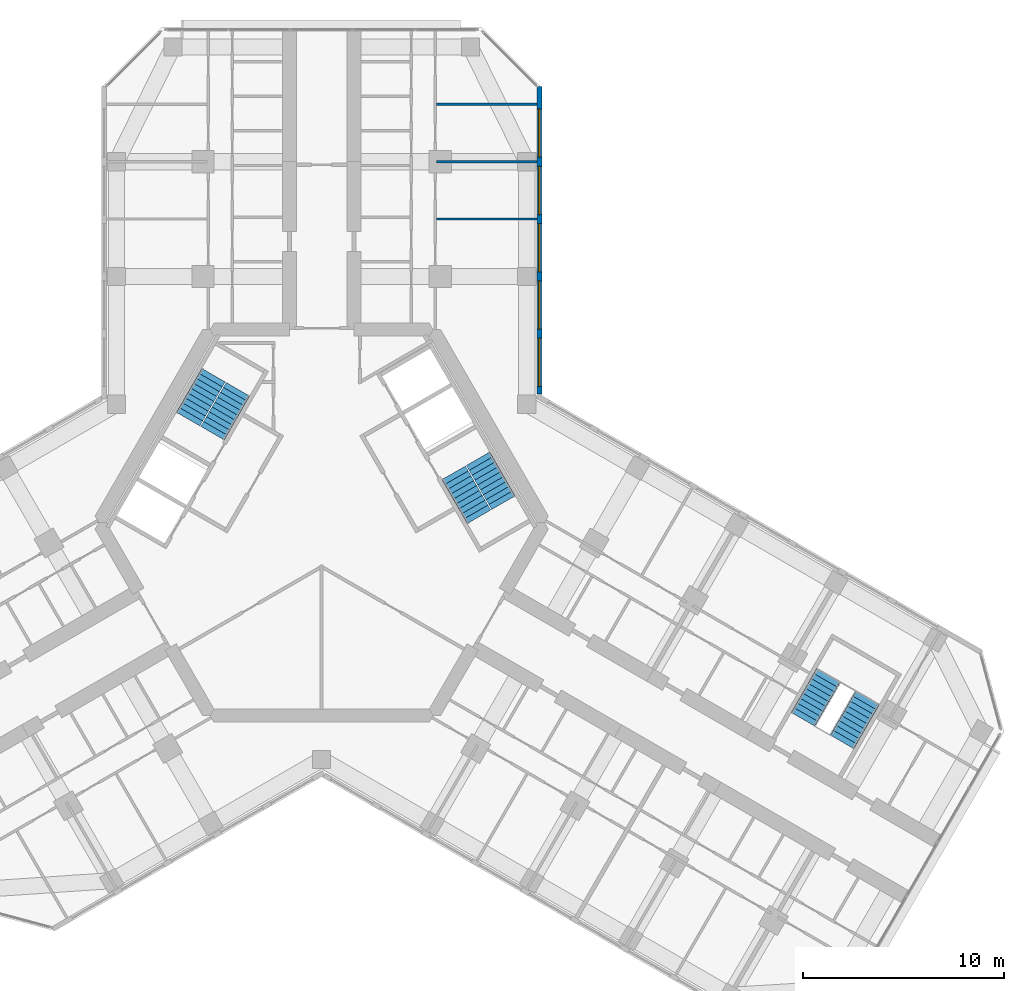
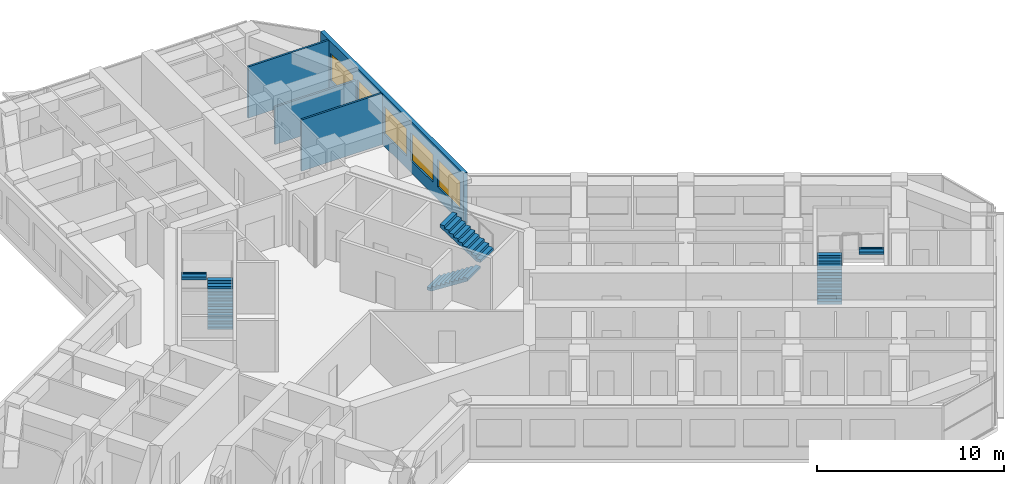
# One storey, part 15 of 16: 6 stair flights, 5 windows, 4 walls, 5 openings, 3 elements without a shape of their own.
"""IFC4 building model written with IfcOpenShell, lengths in metres."""

import ifcopenshell
import ifcopenshell.guid

model = None  # the IFC model being written
_history = None  # IfcOwnerHistory: only IFC2X3 demands one
_inside = {}  # id of a spatial element -> (the spatial element, [elements in it])
_under = {}  # id of a project, library or spatial element -> (it, [spatial elements below it])
_declared = {}  # id of a project -> (the project, [libraries it declares])
_typed = {}  # id of a type object -> (the type object, [elements of that type])
_made_of = {}  # id of a material, layer set ... -> (it, [elements and type objects made of it])


def new_model(schema):
    """Start an empty IFC model of exactly this schema.

    Asked for "IFC4X3", IfcOpenShell would pick the latest addendum, in which some entities
    have other attributes; the version numbers below select the first issue.
    IFC2X3 requires an IfcOwnerHistory on every rooted entity: one is made here for all.
    """
    global model, _history
    if schema == "IFC4X3":
        model = ifcopenshell.file(schema_version=(4, 3, 0, 0))
    else:
        model = ifcopenshell.file(schema=schema)
    _inside.clear()
    _under.clear()
    _declared.clear()
    _typed.clear()
    _made_of.clear()
    _history = None
    if model.schema == "IFC2X3":
        org = make("IfcOrganization", Name="unknown")
        user = make(
            "IfcPersonAndOrganization",
            ThePerson=make("IfcPerson", FamilyName="unknown"),
            TheOrganization=org,
        )
        app = make(
            "IfcApplication",
            ApplicationDeveloper=org,
            Version="unknown",
            ApplicationFullName="unknown",
            ApplicationIdentifier="unknown",
        )
        _history = make(
            "IfcOwnerHistory",
            OwningUser=user,
            OwningApplication=app,
            ChangeAction="ADDED",
            CreationDate=0,
        )
    return model


def make(cls, **values):
    """One entity of the class cls with the attributes given. An attribute that is None is left unset."""
    return model.create_entity(
        cls, **{name: value for name, value in values.items() if value is not None}
    )


def rooted(cls, **values):
    """An entity with a GlobalId (a new one), such as an element, a storey or a relation."""
    return make(cls, GlobalId=ifcopenshell.guid.new(), OwnerHistory=_history, **values)


def si_unit(unit_type, name, prefix=None):
    """IfcSIUnit, for example si_unit("LENGTHUNIT", "METRE", prefix="MILLI")."""
    return make("IfcSIUnit", UnitType=unit_type, Prefix=prefix, Name=name)


def assignment(units):
    """IfcUnitAssignment: the units of a project."""
    return None if units is None else make("IfcUnitAssignment", Units=units)


def point(xyz):
    """IfcCartesianPoint."""
    return None if xyz is None else make("IfcCartesianPoint", Coordinates=xyz)


def direction(xyz):
    """IfcDirection."""
    return None if xyz is None else make("IfcDirection", DirectionRatios=xyz)


def frame(location, z_axis=None, x_axis=None):
    """IfcAxis2Placement3D, a coordinate frame: its origin and axes. An axis left out is left unset."""
    return make(
        "IfcAxis2Placement3D",
        Location=point(location),
        Axis=direction(z_axis),
        RefDirection=direction(x_axis),
    )


def frame_2d(location, x_axis=None):
    """IfcAxis2Placement2D, a coordinate frame in the plane: its origin and x axis."""
    return make(
        "IfcAxis2Placement2D", Location=point(location), RefDirection=direction(x_axis)
    )


def origin():
    """The frame at (0, 0, 0) with its axes left unset."""
    return frame((0.0, 0.0, 0.0))


def place(relative_to, where):
    """IfcLocalPlacement: puts the frame where relative to a parent placement (None: the world)."""
    return make(
        "IfcLocalPlacement", PlacementRelTo=relative_to, RelativePlacement=where
    )


def context(
    kind, dimensions, precision=None, world=None, true_north=None, identifier=None
):
    """IfcGeometricRepresentationContext, for example the 3D "Model" context."""
    return make(
        "IfcGeometricRepresentationContext",
        ContextIdentifier=identifier,
        ContextType=kind,
        CoordinateSpaceDimension=dimensions,
        Precision=precision,
        WorldCoordinateSystem=world,
        TrueNorth=true_north,
    )


def subcontext(parent, identifier, kind, view, scale=None):
    """IfcGeometricRepresentationSubContext, for example "Body" below "Model"."""
    return make(
        "IfcGeometricRepresentationSubContext",
        ContextIdentifier=identifier,
        ContextType=kind,
        ParentContext=parent,
        TargetScale=scale,
        TargetView=view,
    )


def project(units=None, contexts=None):
    """IfcProject with its units and contexts."""
    return rooted(
        "IfcProject",
        Name="project",
        RepresentationContexts=contexts,
        UnitsInContext=assignment(units),
    )


def spatial(cls, under=None, at=None, **own):
    """A site, building, storey or space (cls), placed at a placement, below another one or the project."""
    s = rooted(cls, ObjectPlacement=at, **own)
    if under is not None:
        _under.setdefault(under.id(), (under, []))[1].append(s)
    return s


def polyline(points):
    """IfcPolyline through the points."""
    return make("IfcPolyline", Points=[point(p) for p in points])


def profile(cls, at=None, kind="AREA", **sizes):
    """A parametric profile (cls). Its sizes go by their IFC names, for example OverallWidth=200.0."""
    return make(cls, ProfileType=kind, Position=at, **sizes)


def rectangle(**sizes):
    """IfcRectangleProfileDef."""
    return profile("IfcRectangleProfileDef", **sizes)


def outline(outer, holes=None, kind="AREA"):
    """IfcArbitraryClosedProfileDef: a profile drawn as a closed curve; with holes, ...WithVoids."""
    if holes is None:
        return make("IfcArbitraryClosedProfileDef", ProfileType=kind, OuterCurve=outer)
    return make(
        "IfcArbitraryProfileDefWithVoids",
        ProfileType=kind,
        OuterCurve=outer,
        InnerCurves=holes,
    )


def extrude(swept, where, along, depth):
    """IfcExtrudedAreaSolid: the profile swept, set in the frame where, extruded along a direction by depth."""
    return make(
        "IfcExtrudedAreaSolid",
        SweptArea=swept,
        Position=where,
        ExtrudedDirection=direction(along),
        Depth=depth,
    )


def shape(context_of_items, identifier, shape_type, items):
    """IfcShapeRepresentation: the items that make up one representation, for example the "Body"."""
    return make(
        "IfcShapeRepresentation",
        ContextOfItems=context_of_items,
        RepresentationIdentifier=identifier,
        RepresentationType=shape_type,
        Items=items,
    )


def material(Name=None, Category=None):
    """IfcMaterial."""
    return make("IfcMaterial", Name=Name, Category=Category)


def layer(
    of_material, thickness, ventilated=None, Name=None, Category=None, Priority=None
):
    """IfcMaterialLayer: one layer of a wall or slab, of a material (None: an air gap)."""
    return make(
        "IfcMaterialLayer",
        Material=of_material,
        LayerThickness=thickness,
        IsVentilated=ventilated,
        Name=Name,
        Category=Category,
        Priority=Priority,
    )


def layer_set(layers, Name=None):
    """IfcMaterialLayerSet."""
    return make("IfcMaterialLayerSet", MaterialLayers=layers, LayerSetName=Name)


def made_of(thing, what):
    """Note that an element or type object is made of a material, layer set ...; save() writes the relation."""
    if what is not None:
        _made_of.setdefault(what.id(), (what, []))[1].append(thing)
    return thing


def type_object(cls, material=None, **own):
    """A type object (cls), such as IfcWallType, which elements share."""
    return made_of(rooted(cls, **own), material)


def element(
    cls,
    number,
    at=None,
    inside=None,
    cuts=None,
    type_object=None,
    material=None,
    context=None,
    identifier="Body",
    shape_type=None,
    held_by="IfcProductDefinitionShape",
    body=None,
    shapes=None,
    **own,
):
    """One element of the class cls, such as IfcWall. Its Tag is "e" and its number.

    at: its placement. inside: the storey or other place that contains it. cuts: it is an
    opening in that element (IfcRelVoidsElement). A single representation is given by context,
    identifier, shape_type and body (its items); several are given by shapes. held_by: the class
    of the entity that holds the representations. save() writes the other relations.
    """
    e = rooted(cls, Tag="e%d" % number, ObjectPlacement=at, **own)
    if body is not None:
        shapes = [shape(context, identifier, shape_type, body)]
    if shapes is not None:
        e.Representation = make(held_by, Representations=shapes)
    if inside is not None:
        _inside.setdefault(inside.id(), (inside, []))[1].append(e)
    if cuts is not None:
        rooted(
            "IfcRelVoidsElement", RelatingBuildingElement=cuts, RelatedOpeningElement=e
        )
    if type_object is not None:
        _typed.setdefault(type_object.id(), (type_object, []))[1].append(e)
    return made_of(e, material)


def fill(opening, filler):
    """IfcRelFillsElement: the door or window that sits in an opening."""
    return rooted(
        "IfcRelFillsElement",
        RelatingOpeningElement=opening,
        RelatedBuildingElement=filler,
    )


def aggregate(whole, parts):
    """IfcRelAggregates: a whole, such as a stair, and the parts it consists of."""
    return rooted("IfcRelAggregates", RelatingObject=whole, RelatedObjects=parts)


def save(model, path):
    """Write the relations noted so far, then the file.

    IfcRelAggregates (storeys below a building ...), IfcRelContainedInSpatialStructure (elements
    in a storey), IfcRelDefinesByType, IfcRelAssociatesMaterial and IfcRelDeclares: one each for
    every whole, place, type object, material and project.
    """
    for whole, parts in _under.values():
        aggregate(whole, parts)
    for where, things in _inside.values():
        rooted(
            "IfcRelContainedInSpatialStructure",
            RelatedElements=things,
            RelatingStructure=where,
        )
    for kind, things in _typed.values():
        rooted("IfcRelDefinesByType", RelatedObjects=things, RelatingType=kind)
    for what, things in _made_of.values():
        rooted("IfcRelAssociatesMaterial", RelatedObjects=things, RelatingMaterial=what)
    for by, libraries in _declared.values():
        rooted("IfcRelDeclares", RelatingContext=by, RelatedDefinitions=libraries)
    model.write(path)


model = new_model("IFC4")

# Units and contexts
model_context = context("Model", 3, precision=1e-05, world=origin(), true_north=direction((0.0, 1.0)))
body_context = subcontext(model_context, "Body", "Model", "MODEL_VIEW")
ifc_project = project(units=[si_unit("LENGTHUNIT", "METRE"), si_unit("AREAUNIT", "SQUARE_METRE"), si_unit("VOLUMEUNIT", "CUBIC_METRE"), si_unit("PLANEANGLEUNIT", "RADIAN"), si_unit("MASSUNIT", "GRAM", prefix="KILO")], contexts=[model_context])

# Site, building, storey
site_placement = place(None, origin())
site = spatial("IfcSite", under=ifc_project, at=site_placement, CompositionType="ELEMENT")
building_placement = place(site_placement, origin())
building = spatial("IfcBuilding", under=site, at=building_placement, Name="Kosmar Iwan School Tower", CompositionType="ELEMENT")
storey_placement = place(building_placement, frame((0.0, 0.0, 208.199951171875)))
storey = spatial("IfcBuildingStorey", under=building, at=storey_placement, Name="L52", CompositionType="ELEMENT", Elevation=208.199951171875)

# Walls
ifc_material_1 = material(Name="Gypsum board on steel studs", Category="steel")
ifc_layer_1 = layer(ifc_material_1, 0.1201171875)
ifc_layer_set_1 = layer_set([ifc_layer_1], Name="Dwelling partition 120")
wall_type_1 = type_object("IfcWallType", Name="Dwelling partition 120", PredefinedType="PARTITIONING", material=ifc_layer_set_1)
wall_1_placement = place(storey_placement, frame((5.7099609375, 15.10009765625, 0.0), z_axis=(0.0, 0.0, 1.0), x_axis=(1.0, 0.0, 0.0)))
element("IfcWall", 1, at=wall_1_placement, inside=storey, type_object=wall_type_1, Name="Partition L52-AR1-X1", PredefinedType="PARTITIONING", context=body_context, shape_type="SweptSolid", body=[
    extrude(rectangle(XDim=4.989990234375, YDim=0.1201171875, at=frame_2d((2.4951171875, 0.0))), origin(), (0.0, 0.0, 1.0), 3.35009765625),
])
wall_2_placement = place(storey_placement, frame((5.7099609375, 17.949951171875, 0.0), z_axis=(0.0, 0.0, 1.0), x_axis=(1.0, 0.0, 0.0)))
element("IfcWall", 2, at=wall_2_placement, inside=storey, type_object=wall_type_1, Name="Partition L52-AR1-X2", PredefinedType="PARTITIONING", context=body_context, shape_type="SweptSolid", body=[
    extrude(rectangle(XDim=4.989990234375, YDim=0.1201171875, at=frame_2d((2.4951171875, 0.0))), origin(), (0.0, 0.0, 1.0), 2.449951171875),
])
wall_3_placement = place(storey_placement, frame((5.7099609375, 20.800048828125, 0.0), z_axis=(0.0, 0.0, 1.0), x_axis=(1.0, 0.0, 0.0)))
element("IfcWall", 3, at=wall_3_placement, inside=storey, type_object=wall_type_1, Name="Partition L52-AR1-X3", PredefinedType="PARTITIONING", context=body_context, shape_type="SweptSolid", body=[
    extrude(rectangle(XDim=4.989990234375, YDim=0.1201171875, at=frame_2d((2.4951171875, 0.0))), origin(), (0.0, 0.0, 1.0), 3.35009765625),
])

# Wall, openings, windows
ifc_material_2 = material(Name="Black aluminium rainscreen on insulated framing", Category="aluminium")
ifc_layer_2 = layer(ifc_material_2, 0.25)
ifc_layer_set_2 = layer_set([ifc_layer_2], Name="External wall rainscreen 250")
wall_type_2 = type_object("IfcWallType", Name="External wall rainscreen 250", PredefinedType="SOLIDWALL", material=ifc_layer_set_2)
wall_4_placement = place(storey_placement, frame((10.824951171875, 6.408935546875, 0.0), z_axis=(0.0, 0.0, 1.0), x_axis=(0.0, 1.0, 0.0)))
wall_4 = element("IfcWall", 4, at=wall_4_placement, inside=storey, type_object=wall_type_2, Name="External wall AR L52", PredefinedType="SOLIDWALL", context=body_context, shape_type="SweptSolid", body=[
    extrude(rectangle(XDim=15.2763671875, YDim=0.25, at=frame_2d((7.63818359375, 0.0))), origin(), (0.0, 0.0, 1.0), 3.35009765625),
])
opening_1_placement = place(wall_4_placement, frame((0.365966796875, 0.0, 0.800048828125)))
opening_1 = element("IfcOpeningElement", 5, at=opening_1_placement, cuts=wall_4, Name="Opening W5", PredefinedType="OPENING", context=body_context, shape_type="SweptSolid", body=[
    extrude(rectangle(XDim=2.39990234375, YDim=1.800048828125, at=frame_2d((1.199951171875, 0.89990234375))), frame((0.0, 0.136962890625, 0.0), z_axis=(0.0, -1.0, 0.0), x_axis=(1.0, 0.0, 0.0)), (0.0, 0.0, 1.0), 0.27392578125),
])
opening_2_placement = place(wall_4_placement, frame((3.216064453125, 0.0, 0.800048828125)))
opening_2 = element("IfcOpeningElement", 6, at=opening_2_placement, cuts=wall_4, Name="Opening W5", PredefinedType="OPENING", context=body_context, shape_type="SweptSolid", body=[
    extrude(rectangle(XDim=2.39990234375, YDim=1.800048828125, at=frame_2d((1.199951171875, 0.89990234375))), frame((0.0, 0.136962890625, 0.0), z_axis=(0.0, -1.0, 0.0), x_axis=(1.0, 0.0, 0.0)), (0.0, 0.0, 1.0), 0.27392578125),
])
opening_3_placement = place(wall_4_placement, frame((6.06591796875, 0.0, 0.800048828125)))
opening_3 = element("IfcOpeningElement", 7, at=opening_3_placement, cuts=wall_4, Name="Opening W5", PredefinedType="OPENING", context=body_context, shape_type="SweptSolid", body=[
    extrude(rectangle(XDim=2.39990234375, YDim=1.800048828125, at=frame_2d((1.199951171875, 0.89990234375))), frame((0.0, 0.136962890625, 0.0), z_axis=(0.0, -1.0, 0.0), x_axis=(1.0, 0.0, 0.0)), (0.0, 0.0, 1.0), 0.27392578125),
])
opening_4_placement = place(wall_4_placement, frame((8.916015625, 0.0, 0.800048828125)))
opening_4 = element("IfcOpeningElement", 8, at=opening_4_placement, cuts=wall_4, Name="Opening W5", PredefinedType="OPENING", context=body_context, shape_type="SweptSolid", body=[
    extrude(rectangle(XDim=2.39990234375, YDim=1.800048828125, at=frame_2d((1.199951171875, 0.89990234375))), frame((0.0, 0.136962890625, 0.0), z_axis=(0.0, -1.0, 0.0), x_axis=(1.0, 0.0, 0.0)), (0.0, 0.0, 1.0), 0.27392578125),
])
opening_5_placement = place(wall_4_placement, frame((11.76611328125, 0.0, 0.800048828125)))
opening_5 = element("IfcOpeningElement", 9, at=opening_5_placement, cuts=wall_4, Name="Opening W5", PredefinedType="OPENING", context=body_context, shape_type="SweptSolid", body=[
    extrude(rectangle(XDim=2.39990234375, YDim=1.800048828125, at=frame_2d((1.199951171875, 0.89990234375))), frame((0.0, 0.136962890625, 0.0), z_axis=(0.0, -1.0, 0.0), x_axis=(1.0, 0.0, 0.0)), (0.0, 0.0, 1.0), 0.27392578125),
])
ifc_material_3 = material(Name="Black aluminium frame with dark triple glazing", Category="aluminium")
window_type = type_object("IfcWindowType", Name="Window 2400x1800", PartitioningType="SINGLE_PANEL", PredefinedType="WINDOW", material=ifc_material_3)
window_1_placement = place(opening_1_placement, origin())
window_1 = element("IfcWindow", 10, at=window_1_placement, inside=storey, type_object=window_type, Name="Window AR L52 -1", OverallHeight=1.800048828125, OverallWidth=2.39990234375, PartitioningType="SINGLE_PANEL", PredefinedType="WINDOW", context=body_context, shape_type="SweptSolid", body=[
    extrude(rectangle(XDim=2.39990234375, YDim=1.800048828125, at=frame_2d((1.199951171875, 0.89990234375))), frame((0.0, 0.030029296875, 0.0), z_axis=(0.0, -1.0, 0.0), x_axis=(1.0, 0.0, 0.0)), (0.0, 0.0, 1.0), 0.06005859375),
])
fill(opening_1, window_1)
window_2_placement = place(opening_2_placement, origin())
window_2 = element("IfcWindow", 11, at=window_2_placement, inside=storey, type_object=window_type, Name="Window AR L52 0", OverallHeight=1.800048828125, OverallWidth=2.39990234375, PartitioningType="SINGLE_PANEL", PredefinedType="WINDOW", context=body_context, shape_type="SweptSolid", body=[
    extrude(rectangle(XDim=2.39990234375, YDim=1.800048828125, at=frame_2d((1.199951171875, 0.89990234375))), frame((0.0, 0.030029296875, 0.0), z_axis=(0.0, -1.0, 0.0), x_axis=(1.0, 0.0, 0.0)), (0.0, 0.0, 1.0), 0.06005859375),
])
fill(opening_2, window_2)
window_3_placement = place(opening_3_placement, origin())
window_3 = element("IfcWindow", 12, at=window_3_placement, inside=storey, type_object=window_type, Name="Window AR L52 1", OverallHeight=1.800048828125, OverallWidth=2.39990234375, PartitioningType="SINGLE_PANEL", PredefinedType="WINDOW", context=body_context, shape_type="SweptSolid", body=[
    extrude(rectangle(XDim=2.39990234375, YDim=1.800048828125, at=frame_2d((1.199951171875, 0.89990234375))), frame((0.0, 0.030029296875, 0.0), z_axis=(0.0, -1.0, 0.0), x_axis=(1.0, 0.0, 0.0)), (0.0, 0.0, 1.0), 0.06005859375),
])
fill(opening_3, window_3)
window_4_placement = place(opening_4_placement, origin())
window_4 = element("IfcWindow", 13, at=window_4_placement, inside=storey, type_object=window_type, Name="Window AR L52 2", OverallHeight=1.800048828125, OverallWidth=2.39990234375, PartitioningType="SINGLE_PANEL", PredefinedType="WINDOW", context=body_context, shape_type="SweptSolid", body=[
    extrude(rectangle(XDim=2.39990234375, YDim=1.800048828125, at=frame_2d((1.199951171875, 0.89990234375))), frame((0.0, 0.030029296875, 0.0), z_axis=(0.0, -1.0, 0.0), x_axis=(1.0, 0.0, 0.0)), (0.0, 0.0, 1.0), 0.06005859375),
])
fill(opening_4, window_4)
window_5_placement = place(opening_5_placement, origin())
window_5 = element("IfcWindow", 14, at=window_5_placement, inside=storey, type_object=window_type, Name="Window AR L52 3", OverallHeight=1.800048828125, OverallWidth=2.39990234375, PartitioningType="SINGLE_PANEL", PredefinedType="WINDOW", context=body_context, shape_type="SweptSolid", body=[
    extrude(rectangle(XDim=2.39990234375, YDim=1.800048828125, at=frame_2d((1.199951171875, 0.89990234375))), frame((0.0, 0.030029296875, 0.0), z_axis=(0.0, -1.0, 0.0), x_axis=(1.0, 0.0, 0.0)), (0.0, 0.0, 1.0), 0.06005859375),
])
fill(opening_5, window_5)

# Stair, stair flights
ifc_material_4 = material(Name="Concrete C35/45", Category="concrete")
stair_type_1 = type_object("IfcStairType", Name="Escape stair 3600", PredefinedType="HALF_TURN_STAIR", material=ifc_material_4)
stair_1_placement = place(storey_placement, origin())
stair_1 = element("IfcStair", 15, at=stair_1_placement, inside=storey, type_object=stair_type_1, Name="Stair WS3 L52", PredefinedType="HALF_TURN_STAIR")
ifc_material_5 = material(Name="Concrete C35/45", Category="concrete")
stair_flight_type_1 = type_object("IfcStairFlightType", Name="Escape stair flight 1350", PredefinedType="STRAIGHT", material=ifc_material_5)
stair_flight_1_placement = place(storey_placement, frame((23.94189453125, -9.781494140625, 0.0), z_axis=(0.0, 0.0, 1.0), x_axis=(0.5, 0.866025403784, 0.0)))
stair_flight_1 = element("IfcStairFlight", 16, at=stair_flight_1_placement, type_object=stair_flight_type_1, Name="WS3 flight 1", NumberOfRisers=10, NumberOfTreads=9, PredefinedType="STRAIGHT", RiserHeight=0.18, TreadLength=0.28, context=body_context, shape_type="SweptSolid", body=[
    extrude(outline(polyline([(0.0, 0.0), (0.0, 0.179931640625), (0.280029296875, 0.179931640625), (0.280029296875, 0.360107421875), (0.56005859375, 0.360107421875), (0.56005859375, 0.5400390625), (0.840087890625, 0.5400390625), (0.840087890625, 0.719970703125), (1.1201171875, 0.719970703125), (1.1201171875, 0.89990234375), (1.39990234375, 0.89990234375), (1.39990234375, 1.080078125), (1.679931640625, 1.080078125), (1.679931640625, 1.260009765625), (1.9599609375, 1.260009765625), (1.9599609375, 1.43994140625), (2.239990234375, 1.43994140625), (2.239990234375, 1.6201171875), (2.52001953125, 1.6201171875), (2.52001953125, 1.800048828125), (2.52001953125, 1.44189453125), (0.277099609375, 0.0), (0.0, 0.0)])), frame((0.0, 0.675048828125, 0.0), z_axis=(0.0, -1.0, 0.0), x_axis=(1.0, 0.0, 0.0)), (0.0, 0.0, 1.0), 1.35009765625),
])
stair_flight_2_placement = place(storey_placement, frame((27.150390625, -8.72412109375, 1.800048828125), z_axis=(0.0, 0.0, 1.0), x_axis=(-0.5, -0.866025403784, 0.0)))
stair_flight_2 = element("IfcStairFlight", 17, at=stair_flight_2_placement, type_object=stair_flight_type_1, Name="WS3 flight 2", NumberOfRisers=10, NumberOfTreads=9, PredefinedType="STRAIGHT", RiserHeight=0.18, TreadLength=0.28, context=body_context, shape_type="SweptSolid", body=[
    extrude(outline(polyline([(0.0, 0.0), (0.0, 0.179931640625), (0.280029296875, 0.179931640625), (0.280029296875, 0.360107421875), (0.56005859375, 0.360107421875), (0.56005859375, 0.5400390625), (0.840087890625, 0.5400390625), (0.840087890625, 0.719970703125), (1.1201171875, 0.719970703125), (1.1201171875, 0.89990234375), (1.39990234375, 0.89990234375), (1.39990234375, 1.080078125), (1.679931640625, 1.080078125), (1.679931640625, 1.260009765625), (1.9599609375, 1.260009765625), (1.9599609375, 1.43994140625), (2.239990234375, 1.43994140625), (2.239990234375, 1.6201171875), (2.52001953125, 1.6201171875), (2.52001953125, 1.800048828125), (2.52001953125, 1.44189453125), (0.277099609375, 0.0), (0.0, 0.0)])), frame((0.0, 0.675048828125, 0.0), z_axis=(0.0, -1.0, 0.0), x_axis=(1.0, 0.0, 0.0)), (0.0, 0.0, 1.0), 1.35009765625),
])
aggregate(stair_1, [stair_flight_1, stair_flight_2])

ifc_material_6 = material(Name="Concrete C35/45", Category="concrete")
stair_type_2 = type_object("IfcStairType", Name="Core stair 2750", PredefinedType="HALF_TURN_STAIR", material=ifc_material_6)
stair_2_placement = place(storey_placement, origin())
stair_2 = element("IfcStair", 18, at=stair_2_placement, inside=storey, type_object=stair_type_2, Name="Stair ST2 L52", PredefinedType="HALF_TURN_STAIR")
ifc_material_7 = material(Name="Concrete C35/45", Category="concrete")
stair_flight_type_2 = type_object("IfcStairFlightType", Name="Stair flight 1350", PredefinedType="STRAIGHT", material=ifc_material_7)
stair_flight_3_placement = place(storey_placement, frame((-5.42724609375, 4.44970703125, 0.0), z_axis=(0.0, 0.0, 1.0), x_axis=(0.5, 0.866025403784, 0.0)))
stair_flight_3 = element("IfcStairFlight", 19, at=stair_flight_3_placement, type_object=stair_flight_type_2, Name="ST2 flight 1", NumberOfRisers=10, NumberOfTreads=9, PredefinedType="STRAIGHT", RiserHeight=0.18, TreadLength=0.28, context=body_context, shape_type="SweptSolid", body=[
    extrude(outline(polyline([(0.0, 0.0), (0.0, 0.179931640625), (0.280029296875, 0.179931640625), (0.280029296875, 0.360107421875), (0.56005859375, 0.360107421875), (0.56005859375, 0.5400390625), (0.840087890625, 0.5400390625), (0.840087890625, 0.719970703125), (1.1201171875, 0.719970703125), (1.1201171875, 0.89990234375), (1.39990234375, 0.89990234375), (1.39990234375, 1.080078125), (1.679931640625, 1.080078125), (1.679931640625, 1.260009765625), (1.9599609375, 1.260009765625), (1.9599609375, 1.43994140625), (2.239990234375, 1.43994140625), (2.239990234375, 1.6201171875), (2.52001953125, 1.6201171875), (2.52001953125, 1.800048828125), (2.52001953125, 1.44189453125), (0.277099609375, 0.0), (0.0, 0.0)])), frame((0.0, 0.675048828125, 0.0), z_axis=(0.0, -1.0, 0.0), x_axis=(1.0, 0.0, 0.0)), (0.0, 0.0, 1.0), 1.35009765625),
])
stair_flight_4_placement = place(storey_placement, frame((-5.379638671875, 7.33203125, 1.800048828125), z_axis=(0.0, 0.0, 1.0), x_axis=(-0.5, -0.866025403784, 0.0)))
stair_flight_4 = element("IfcStairFlight", 20, at=stair_flight_4_placement, type_object=stair_flight_type_2, Name="ST2 flight 2", NumberOfRisers=10, NumberOfTreads=9, PredefinedType="STRAIGHT", RiserHeight=0.18, TreadLength=0.28, context=body_context, shape_type="SweptSolid", body=[
    extrude(outline(polyline([(0.0, 0.0), (0.0, 0.179931640625), (0.280029296875, 0.179931640625), (0.280029296875, 0.360107421875), (0.56005859375, 0.360107421875), (0.56005859375, 0.5400390625), (0.840087890625, 0.5400390625), (0.840087890625, 0.719970703125), (1.1201171875, 0.719970703125), (1.1201171875, 0.89990234375), (1.39990234375, 0.89990234375), (1.39990234375, 1.080078125), (1.679931640625, 1.080078125), (1.679931640625, 1.260009765625), (1.9599609375, 1.260009765625), (1.9599609375, 1.43994140625), (2.239990234375, 1.43994140625), (2.239990234375, 1.6201171875), (2.52001953125, 1.6201171875), (2.52001953125, 1.800048828125), (2.52001953125, 1.44189453125), (0.277099609375, 0.0), (0.0, 0.0)])), frame((0.0, 0.675048828125, 0.0), z_axis=(0.0, -1.0, 0.0), x_axis=(1.0, 0.0, 0.0)), (0.0, 0.0, 1.0), 1.35009765625),
])
aggregate(stair_2, [stair_flight_3, stair_flight_4])

stair_3_placement = place(storey_placement, origin())
stair_3 = element("IfcStair", 21, at=stair_3_placement, inside=storey, type_object=stair_type_2, Name="Stair ST1 L52", PredefinedType="HALF_TURN_STAIR")
stair_flight_5_placement = place(storey_placement, frame((6.567138671875, 2.475341796875, 0.0), z_axis=(0.0, 0.0, 1.0), x_axis=(0.5, -0.866025403784, 0.0)))
stair_flight_5 = element("IfcStairFlight", 22, at=stair_flight_5_placement, type_object=stair_flight_type_2, Name="ST1 flight 1", NumberOfRisers=10, NumberOfTreads=9, PredefinedType="STRAIGHT", RiserHeight=0.18, TreadLength=0.28, context=body_context, shape_type="SweptSolid", body=[
    extrude(outline(polyline([(0.0, 0.0), (0.0, 0.179931640625), (0.280029296875, 0.179931640625), (0.280029296875, 0.360107421875), (0.56005859375, 0.360107421875), (0.56005859375, 0.5400390625), (0.840087890625, 0.5400390625), (0.840087890625, 0.719970703125), (1.1201171875, 0.719970703125), (1.1201171875, 0.89990234375), (1.39990234375, 0.89990234375), (1.39990234375, 1.080078125), (1.679931640625, 1.080078125), (1.679931640625, 1.260009765625), (1.9599609375, 1.260009765625), (1.9599609375, 1.43994140625), (2.239990234375, 1.43994140625), (2.239990234375, 1.6201171875), (2.52001953125, 1.6201171875), (2.52001953125, 1.800048828125), (2.52001953125, 1.44189453125), (0.277099609375, 0.0), (0.0, 0.0)])), frame((0.0, 0.675048828125, 0.0), z_axis=(0.0, -1.0, 0.0), x_axis=(1.0, 0.0, 0.0)), (0.0, 0.0, 1.0), 1.35009765625),
])
stair_flight_6_placement = place(storey_placement, frame((9.03955078125, 0.992919921875, 1.800048828125), z_axis=(0.0, 0.0, 1.0), x_axis=(-0.5, 0.866025403784, 0.0)))
stair_flight_6 = element("IfcStairFlight", 23, at=stair_flight_6_placement, type_object=stair_flight_type_2, Name="ST1 flight 2", NumberOfRisers=10, NumberOfTreads=9, PredefinedType="STRAIGHT", RiserHeight=0.18, TreadLength=0.28, context=body_context, shape_type="SweptSolid", body=[
    extrude(outline(polyline([(0.0, 0.0), (0.0, 0.179931640625), (0.280029296875, 0.179931640625), (0.280029296875, 0.360107421875), (0.56005859375, 0.360107421875), (0.56005859375, 0.5400390625), (0.840087890625, 0.5400390625), (0.840087890625, 0.719970703125), (1.1201171875, 0.719970703125), (1.1201171875, 0.89990234375), (1.39990234375, 0.89990234375), (1.39990234375, 1.080078125), (1.679931640625, 1.080078125), (1.679931640625, 1.260009765625), (1.9599609375, 1.260009765625), (1.9599609375, 1.43994140625), (2.239990234375, 1.43994140625), (2.239990234375, 1.6201171875), (2.52001953125, 1.6201171875), (2.52001953125, 1.800048828125), (2.52001953125, 1.44189453125), (0.277099609375, 0.0), (0.0, 0.0)])), frame((0.0, 0.675048828125, 0.0), z_axis=(0.0, -1.0, 0.0), x_axis=(1.0, 0.0, 0.0)), (0.0, 0.0, 1.0), 1.35009765625),
])
aggregate(stair_3, [stair_flight_5, stair_flight_6])

save(model, "model.ifc")
